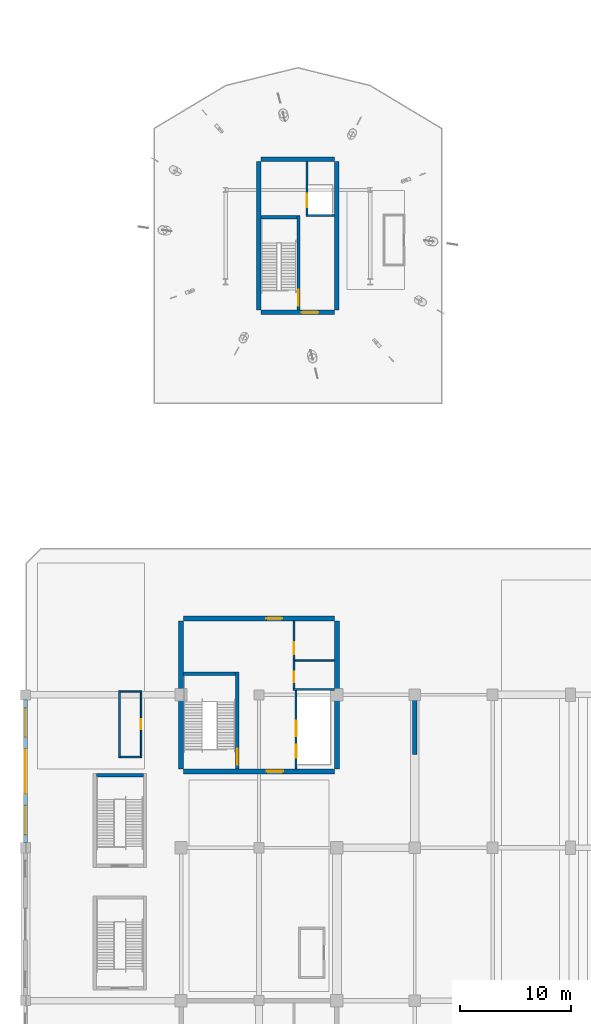
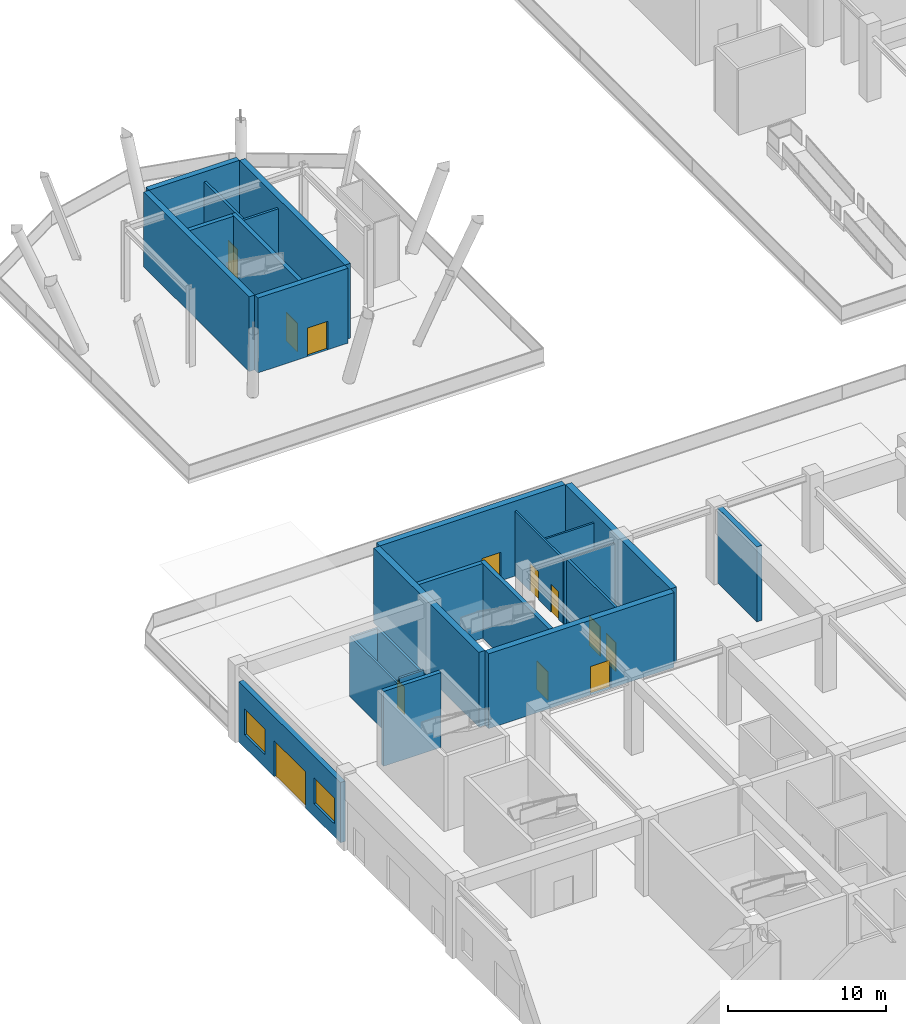
# One storey, part 47 of 73: 25 walls, 12 doors, 2 windows, 14 openings.
"""IFC4 building model written with IfcOpenShell, lengths in metres."""

from ifc_helpers import new_model, si_unit, direction, frame, frame_2d, origin, place, context, subcontext, project, spatial, rectangle, extrude, material, layer, layer_set, type_object, element, fill, save


model = new_model("IFC4")

# Units and contexts
model_context = context("Model", 3, precision=1e-05, world=origin(), true_north=direction((0.0, 1.0)))
body_context = subcontext(model_context, "Body", "Model", "MODEL_VIEW")
ifc_project = project(units=[si_unit("LENGTHUNIT", "METRE"), si_unit("AREAUNIT", "SQUARE_METRE"), si_unit("VOLUMEUNIT", "CUBIC_METRE"), si_unit("PLANEANGLEUNIT", "RADIAN"), si_unit("MASSUNIT", "GRAM", prefix="KILO")], contexts=[model_context])

# Site, building, storey
site_placement = place(None, origin())
site = spatial("IfcSite", under=ifc_project, at=site_placement, CompositionType="ELEMENT")
building_placement = place(site_placement, origin())
building = spatial("IfcBuilding", under=site, at=building_placement, Name="Linyun Crest Stadium", CompositionType="ELEMENT")
storey_placement = place(building_placement, origin())
storey = spatial("IfcBuildingStorey", under=building, at=storey_placement, Name="L01", CompositionType="ELEMENT", Elevation=0.0)

# Walls
ifc_material_1 = material(Name="Concrete C50", Category="concrete")
ifc_layer_1 = layer(ifc_material_1, 0.39990234375)
ifc_layer_set_1 = layer_set([ifc_layer_1], Name="Concrete C50")
wall_type_1 = type_object("IfcWallType", Name="CW02", PredefinedType="SHEAR", material=ifc_layer_set_1)
for number, where, z_axis, x_axis, name in (
    (1, (-77.0, 77.949951171875, 0.0), (0.0, 0.0, 1.0), (0.0, 1.0, 0.0), "Core shear wall CW02 CORE-PNW L01.1"),
    (2, (-70.0, 77.949951171875, 0.0), (0.0, 0.0, 1.0), (0.0, 1.0, 0.0), "Core shear wall CW02 CORE-PNW L01.2"),
):
    element("IfcWall", number, at=place(storey_placement, frame(where, z_axis=z_axis, x_axis=x_axis)), inside=storey, type_object=wall_type_1, Name=name, PredefinedType="SHEAR", context=body_context, shape_type="SweptSolid", body=[
        extrude(rectangle(XDim=13.35009765625, YDim=0.39990234375, at=frame_2d((6.675048828125, 0.0))), origin(), (0.0, 0.0, 1.0), 5.780029296875),
    ])

# Wall, opening, door
wall_1_placement = place(storey_placement, frame((-76.800048828125, 77.75, 0.0), z_axis=(0.0, 0.0, 1.0), x_axis=(1.0, 0.0, 0.0)))
wall_1 = element("IfcWall", 3, at=wall_1_placement, inside=storey, type_object=wall_type_1, Name="Core shear wall CW02 CORE-PNW L01.3", PredefinedType="SHEAR", context=body_context, shape_type="SweptSolid", body=[
    extrude(rectangle(XDim=6.60009765625, YDim=0.39990234375, at=frame_2d((3.300048828125, 0.0))), origin(), (0.0, 0.0, 1.0), 5.780029296875),
])
opening_1_placement = place(wall_1_placement, frame((3.6298828125, 0.0, 0.0)))
opening_1 = element("IfcOpeningElement", 4, at=opening_1_placement, cuts=wall_1, Name="Opening D-L01-369", PredefinedType="OPENING", context=body_context, shape_type="SweptSolid", body=[
    extrude(rectangle(XDim=1.5, YDim=2.199951171875, at=frame_2d((0.75, 1.10009765625))), frame((0.0, 0.2099609375, 0.0), z_axis=(0.0, -1.0, 0.0), x_axis=(1.0, 0.0, 0.0)), (0.0, 0.0, 1.0), 0.419921875),
])
ifc_material_2 = material(Name="Galvanized steel Class A fire door", Category="steel")
ifc_layer_2 = layer(ifc_material_2, 0.054931640625)
ifc_layer_set_2 = layer_set([ifc_layer_2], Name="Galvanized steel Class A fire door")
door_type_1 = type_object("IfcDoorType", Name="FD01", OperationType="NOTDEFINED", PredefinedType="DOOR", material=ifc_layer_set_2)
door_1_placement = place(opening_1_placement, origin())
door_1 = element("IfcDoor", 5, at=door_1_placement, inside=storey, type_object=door_type_1, Name="Door D-L01-369", OperationType="SINGLE_SWING_LEFT", OverallHeight=2.199951171875, OverallWidth=1.5, PredefinedType="DOOR", context=body_context, shape_type="SweptSolid", body=[
    extrude(rectangle(XDim=1.5, YDim=2.199951171875, at=frame_2d((0.75, 1.10009765625))), frame((0.0, 0.02490234375, 0.0), z_axis=(0.0, -1.0, 0.0), x_axis=(1.0, 0.0, 0.0)), (0.0, 0.0, 1.0), 0.050048828125),
])
fill(opening_1, door_1)

# Walls
wall_2_placement = place(storey_placement, frame((-76.800048828125, 91.5, 0.0), z_axis=(0.0, 0.0, 1.0), x_axis=(1.0, 0.0, 0.0)))
element("IfcWall", 6, at=wall_2_placement, inside=storey, type_object=wall_type_1, Name="Core shear wall CW02 CORE-PNW L01.4", PredefinedType="SHEAR", context=body_context, shape_type="SweptSolid", body=[
    extrude(rectangle(XDim=6.60009765625, YDim=0.39990234375, at=frame_2d((3.300048828125, 0.0))), origin(), (0.0, 0.0, 1.0), 5.780029296875),
])
ifc_material_3 = material(Name="Concrete C50", Category="concrete")
ifc_layer_3 = layer(ifc_material_3, 0.449951171875)
ifc_layer_set_3 = layer_set([ifc_layer_3], Name="Concrete C50")
wall_type_2 = type_object("IfcWallType", Name="CW03", PredefinedType="SHEAR", material=ifc_layer_set_3)
for number, where, z_axis, x_axis, name in (
    (7, (-84.0, 36.72509765625, 0.0), (0.0, 0.0, 1.0), (0.0, 1.0, 0.0), "Core shear wall CW03 CORE-W3 L01.1"),
    (8, (-70.0, 36.72509765625, 0.0), (0.0, 0.0, 1.0), (0.0, 1.0, 0.0), "Core shear wall CW03 CORE-W3 L01.2"),
):
    element("IfcWall", number, at=place(storey_placement, frame(where, z_axis=z_axis, x_axis=x_axis)), inside=storey, type_object=wall_type_2, Name=name, PredefinedType="SHEAR", context=body_context, shape_type="SweptSolid", body=[
        extrude(rectangle(XDim=13.2998046875, YDim=0.449951171875, at=frame_2d((6.64990234375, 0.0))), origin(), (0.0, 0.0, 1.0), 5.780029296875),
    ])

# Wall, opening, door
wall_3_placement = place(storey_placement, frame((-83.77490234375, 36.5, 0.0), z_axis=(0.0, 0.0, 1.0), x_axis=(1.0, 0.0, 0.0)))
wall_3 = element("IfcWall", 9, at=wall_3_placement, inside=storey, type_object=wall_type_2, Name="Core shear wall CW03 CORE-W3 L01.3", PredefinedType="SHEAR", context=body_context, shape_type="SweptSolid", body=[
    extrude(rectangle(XDim=13.5498046875, YDim=0.449951171875, at=frame_2d((6.77490234375, 0.0))), origin(), (0.0, 0.0, 1.0), 5.780029296875),
])
opening_2_placement = place(wall_3_placement, frame((7.452880859375, 0.0, 0.0)))
opening_2 = element("IfcOpeningElement", 10, at=opening_2_placement, cuts=wall_3, Name="Opening D-L01-112", PredefinedType="OPENING", context=body_context, shape_type="SweptSolid", body=[
    extrude(rectangle(XDim=1.5, YDim=2.199951171875, at=frame_2d((0.75, 1.10009765625))), frame((0.0, 0.23486328125, 0.0), z_axis=(0.0, -1.0, 0.0), x_axis=(1.0, 0.0, 0.0)), (0.0, 0.0, 1.0), 0.469970703125),
])
door_2_placement = place(opening_2_placement, origin())
door_2 = element("IfcDoor", 11, at=door_2_placement, inside=storey, type_object=door_type_1, Name="Door D-L01-112", OperationType="SINGLE_SWING_RIGHT", OverallHeight=2.199951171875, OverallWidth=1.5, PredefinedType="DOOR", context=body_context, shape_type="SweptSolid", body=[
    extrude(rectangle(XDim=1.5, YDim=2.199951171875, at=frame_2d((0.75, 1.10009765625))), frame((0.0, 0.02490234375, 0.0), z_axis=(0.0, -1.0, 0.0), x_axis=(1.0, 0.0, 0.0)), (0.0, 0.0, 1.0), 0.050048828125),
])
fill(opening_2, door_2)

wall_4_placement = place(storey_placement, frame((-83.77490234375, 50.25, 0.0), z_axis=(0.0, 0.0, 1.0), x_axis=(1.0, 0.0, 0.0)))
wall_4 = element("IfcWall", 12, at=wall_4_placement, inside=storey, type_object=wall_type_2, Name="Core shear wall CW03 CORE-W3 L01.4", PredefinedType="SHEAR", context=body_context, shape_type="SweptSolid", body=[
    extrude(rectangle(XDim=13.5498046875, YDim=0.449951171875, at=frame_2d((6.77490234375, 0.0))), origin(), (0.0, 0.0, 1.0), 5.780029296875),
])
opening_3_placement = place(wall_4_placement, frame((7.449951171875, 0.0, 0.0)))
opening_3 = element("IfcOpeningElement", 13, at=opening_3_placement, cuts=wall_4, Name="Opening E-ST03", PredefinedType="OPENING", context=body_context, shape_type="SweptSolid", body=[
    extrude(rectangle(XDim=1.39990234375, YDim=2.199951171875, at=frame_2d((0.699951171875, 1.10009765625))), frame((0.0, 0.23486328125, 0.0), z_axis=(0.0, -1.0, 0.0), x_axis=(1.0, 0.0, 0.0)), (0.0, 0.0, 1.0), 0.469970703125),
])
ifc_material_4 = material(Name="Galvanized steel Class A fire door", Category="steel")
ifc_layer_4 = layer(ifc_material_4, 0.054931640625)
ifc_layer_set_4 = layer_set([ifc_layer_4], Name="Galvanized steel Class A fire door")
door_type_2 = type_object("IfcDoorType", Name="FD10", OperationType="NOTDEFINED", PredefinedType="DOOR", material=ifc_layer_set_4)
door_3_placement = place(opening_3_placement, origin())
door_3 = element("IfcDoor", 14, at=door_3_placement, inside=storey, type_object=door_type_2, Name="Stair STR-03 discharge exit E-ST03", OperationType="SINGLE_SWING_RIGHT", OverallHeight=2.199951171875, OverallWidth=1.39990234375, PredefinedType="DOOR", context=body_context, shape_type="SweptSolid", body=[
    extrude(rectangle(XDim=1.39990234375, YDim=2.199951171875, at=frame_2d((0.699951171875, 1.10009765625))), frame((0.0, 0.02490234375, 0.0), z_axis=(0.0, -1.0, 0.0), x_axis=(1.0, 0.0, 0.0)), (0.0, 0.0, 1.0), 0.050048828125),
])
fill(opening_3, door_3)

# Wall, openings, door, windows
ifc_material_5 = material(Name="Precast concrete C40 architectural plinth panel", Category="concrete")
ifc_layer_5 = layer(ifc_material_5, 0.360107421875)
ifc_layer_set_5 = layer_set([ifc_layer_5], Name="Precast concrete C40 architectural plinth panel")
wall_type_3 = type_object("IfcWallType", Name="EW06", PredefinedType="SOLIDWALL", material=ifc_layer_set_5)
wall_5_placement = place(storey_placement, frame((-98.0, 30.06494140625, 0.0), z_axis=(0.0, 0.0, 1.0), x_axis=(0.0, 1.0, 0.0)))
wall_5 = element("IfcWall", 15, at=wall_5_placement, inside=storey, type_object=wall_type_3, Name="Exterior wall EW06 L01 22", PredefinedType="SOLIDWALL", context=body_context, shape_type="SweptSolid", body=[
    extrude(rectangle(XDim=12.8701171875, YDim=0.360107421875, at=frame_2d((6.43505859375, 0.0))), origin(), (0.0, 0.0, 1.0), 4.655029296875),
])
opening_4_placement = place(wall_5_placement, frame((4.43505859375, 0.0, 0.0)))
opening_4 = element("IfcOpeningElement", 16, at=opening_4_placement, cuts=wall_5, Name="Opening E07", PredefinedType="OPENING", context=body_context, shape_type="SweptSolid", body=[
    extrude(rectangle(XDim=4.0, YDim=2.800048828125, at=frame_2d((2.0, 1.39990234375))), frame((0.0, 0.18994140625, 0.0), z_axis=(0.0, -1.0, 0.0), x_axis=(1.0, 0.0, 0.0)), (0.0, 0.0, 1.0), 0.380126953125),
])
opening_5_placement = place(wall_5_placement, frame((0.75, 0.0, 1.0)))
opening_5 = element("IfcOpeningElement", 17, at=opening_5_placement, cuts=wall_5, Name="Opening WN17", PredefinedType="OPENING", context=body_context, shape_type="SweptSolid", body=[
    extrude(rectangle(XDim=2.60009765625, YDim=2.0, at=frame_2d((1.300048828125, 1.0))), frame((0.0, 0.18994140625, 0.0), z_axis=(0.0, -1.0, 0.0), x_axis=(1.0, 0.0, 0.0)), (0.0, 0.0, 1.0), 0.380126953125),
])
opening_6_placement = place(wall_5_placement, frame((9.52001953125, 0.0, 1.0)))
opening_6 = element("IfcOpeningElement", 18, at=opening_6_placement, cuts=wall_5, Name="Opening WN17", PredefinedType="OPENING", context=body_context, shape_type="SweptSolid", body=[
    extrude(rectangle(XDim=2.60009765625, YDim=2.0, at=frame_2d((1.300048828125, 1.0))), frame((0.0, 0.18994140625, 0.0), z_axis=(0.0, -1.0, 0.0), x_axis=(1.0, 0.0, 0.0)), (0.0, 0.0, 1.0), 0.380126953125),
])
ifc_material_6 = material(Name="Verdigris painted steel and laminated glass", Category="steel")
ifc_layer_6 = layer(ifc_material_6, 0.06494140625)
ifc_layer_set_6 = layer_set([ifc_layer_6], Name="Verdigris painted steel and laminated glass")
door_type_3 = type_object("IfcDoorType", Name="ED03", OperationType="NOTDEFINED", PredefinedType="DOOR", material=ifc_layer_set_6)
door_4_placement = place(opening_4_placement, origin())
door_4 = element("IfcDoor", 19, at=door_4_placement, inside=storey, type_object=door_type_3, Name="Main entrance E07", OperationType="DOUBLE_DOOR_SINGLE_SWING", OverallHeight=2.800048828125, OverallWidth=4.0, PredefinedType="DOOR", context=body_context, shape_type="SweptSolid", body=[
    extrude(rectangle(XDim=4.0, YDim=2.800048828125, at=frame_2d((2.0, 1.39990234375))), frame((0.0, 0.02490234375, 0.0), z_axis=(0.0, -1.0, 0.0), x_axis=(1.0, 0.0, 0.0)), (0.0, 0.0, 1.0), 0.050048828125),
])
fill(opening_4, door_4)
ifc_material_7 = material(Name="Fitness studio tall daylight window")
ifc_layer_7 = layer(ifc_material_7, 0.06494140625)
ifc_layer_set_7 = layer_set([ifc_layer_7], Name="Fitness studio tall daylight window")
window_type = type_object("IfcWindowType", Name="WN17", PartitioningType="SINGLE_PANEL", PredefinedType="WINDOW", material=ifc_layer_set_7)
window_1_placement = place(opening_5_placement, origin())
window_1 = element("IfcWindow", 20, at=window_1_placement, inside=storey, type_object=window_type, Name="Window WN17 L01 24", OverallHeight=2.0, OverallWidth=2.60009765625, PartitioningType="SINGLE_PANEL", PredefinedType="WINDOW", context=body_context, shape_type="SweptSolid", body=[
    extrude(rectangle(XDim=2.60009765625, YDim=2.0, at=frame_2d((1.300048828125, 1.0))), frame((0.0, 0.030029296875, 0.0), z_axis=(0.0, -1.0, 0.0), x_axis=(1.0, 0.0, 0.0)), (0.0, 0.0, 1.0), 0.06005859375),
])
fill(opening_5, window_1)
window_2_placement = place(opening_6_placement, origin())
window_2 = element("IfcWindow", 21, at=window_2_placement, inside=storey, type_object=window_type, Name="Window WN17 L01 25", OverallHeight=2.0, OverallWidth=2.60009765625, PartitioningType="SINGLE_PANEL", PredefinedType="WINDOW", context=body_context, shape_type="SweptSolid", body=[
    extrude(rectangle(XDim=2.60009765625, YDim=2.0, at=frame_2d((1.300048828125, 1.0))), frame((0.0, 0.030029296875, 0.0), z_axis=(0.0, -1.0, 0.0), x_axis=(1.0, 0.0, 0.0)), (0.0, 0.0, 1.0), 0.06005859375),
])
fill(opening_6, window_2)

# Wall, openings, doors
ifc_material_8 = material(Name="Autoclaved aerated concrete block fire partition", Category="concrete")
ifc_layer_8 = layer(ifc_material_8, 0.179931640625)
ifc_layer_set_8 = layer_set([ifc_layer_8], Name="Autoclaved aerated concrete block fire partition")
wall_type_4 = type_object("IfcWallType", Name="PW12", PredefinedType="PARTITIONING", material=ifc_layer_set_8)
wall_6_placement = place(storey_placement, frame((-73.64990234375, 36.72509765625, 0.0), z_axis=(0.0, 0.0, 1.0), x_axis=(0.0, 1.0, 0.0)))
wall_6 = element("IfcWall", 22, at=wall_6_placement, inside=storey, type_object=wall_type_4, Name="Partition PW12 L01 45", PredefinedType="PARTITIONING", context=body_context, shape_type="SweptSolid", body=[
    extrude(rectangle(XDim=7.054931640625, YDim=0.179931640625, at=frame_2d((3.52734375, 0.0))), origin(), (0.0, 0.0, 1.0), 5.02001953125),
])
opening_7_placement = place(wall_6_placement, frame((0.97509765625, 0.0, 0.0)))
opening_7 = element("IfcOpeningElement", 23, at=opening_7_placement, cuts=wall_6, Name="Opening LD038", PredefinedType="OPENING", context=body_context, shape_type="SweptSolid", body=[
    extrude(rectangle(XDim=1.199951171875, YDim=2.25, at=frame_2d((0.60009765625, 1.125))), frame((0.0, 0.099853515625, 0.0), z_axis=(0.0, -1.0, 0.0), x_axis=(1.0, 0.0, 0.0)), (0.0, 0.0, 1.0), 0.199951171875),
])
opening_8_placement = place(wall_6_placement, frame((2.925048828125, 0.0, 0.0)))
opening_8 = element("IfcOpeningElement", 24, at=opening_8_placement, cuts=wall_6, Name="Opening LD039", PredefinedType="OPENING", context=body_context, shape_type="SweptSolid", body=[
    extrude(rectangle(XDim=1.39990234375, YDim=2.300048828125, at=frame_2d((0.699951171875, 1.14990234375))), frame((0.0, 0.099853515625, 0.0), z_axis=(0.0, -1.0, 0.0), x_axis=(1.0, 0.0, 0.0)), (0.0, 0.0, 1.0), 0.199951171875),
])
ifc_material_9 = material(Name="Brushed stainless sliding lift door")
ifc_layer_9 = layer(ifc_material_9, 0.050048828125)
ifc_layer_set_9 = layer_set([ifc_layer_9], Name="Brushed stainless sliding lift door")
door_type_4 = type_object("IfcDoorType", Name="LD02", OperationType="NOTDEFINED", PredefinedType="DOOR", material=ifc_layer_set_9)
door_5_placement = place(opening_7_placement, origin())
door_5 = element("IfcDoor", 25, at=door_5_placement, inside=storey, type_object=door_type_4, Name="Lift landing door LD038", OperationType="DOUBLE_DOOR_SLIDING", OverallHeight=2.25, OverallWidth=1.199951171875, PredefinedType="DOOR", context=body_context, shape_type="SweptSolid", body=[
    extrude(rectangle(XDim=1.199951171875, YDim=2.25, at=frame_2d((0.60009765625, 1.125))), frame((0.0, 0.02490234375, 0.0), z_axis=(0.0, -1.0, 0.0), x_axis=(1.0, 0.0, 0.0)), (0.0, 0.0, 1.0), 0.050048828125),
])
fill(opening_7, door_5)
ifc_material_10 = material(Name="Heavy-duty stainless sliding door")
ifc_layer_10 = layer(ifc_material_10, 0.054931640625)
ifc_layer_set_10 = layer_set([ifc_layer_10], Name="Heavy-duty stainless sliding door")
door_type_5 = type_object("IfcDoorType", Name="LD03", OperationType="NOTDEFINED", PredefinedType="DOOR", material=ifc_layer_set_10)
door_6_placement = place(opening_8_placement, origin())
door_6 = element("IfcDoor", 26, at=door_6_placement, inside=storey, type_object=door_type_5, Name="Lift landing door LD039", OperationType="DOUBLE_DOOR_SLIDING", OverallHeight=2.300048828125, OverallWidth=1.39990234375, PredefinedType="DOOR", context=body_context, shape_type="SweptSolid", body=[
    extrude(rectangle(XDim=1.39990234375, YDim=2.300048828125, at=frame_2d((0.699951171875, 1.14990234375))), frame((0.0, 0.02490234375, 0.0), z_axis=(0.0, -1.0, 0.0), x_axis=(1.0, 0.0, 0.0)), (0.0, 0.0, 1.0), 0.050048828125),
])
fill(opening_8, door_6)

# Wall, opening, door
wall_7_placement = place(storey_placement, frame((-72.699951171875, 86.550048828125, 0.0), z_axis=(0.0, 0.0, 1.0), x_axis=(0.0, 1.0, 0.0)))
wall_7 = element("IfcWall", 27, at=wall_7_placement, inside=storey, type_object=wall_type_4, Name="Partition PW12 L01 132", PredefinedType="PARTITIONING", context=body_context, shape_type="SweptSolid", body=[
    extrude(rectangle(XDim=4.75, YDim=0.179931640625, at=frame_2d((2.375, 0.0))), origin(), (0.0, 0.0, 1.0), 5.02001953125),
])
opening_9_placement = place(wall_7_placement, frame((0.64990234375, 0.0, 0.0)))
opening_9 = element("IfcOpeningElement", 28, at=opening_9_placement, cuts=wall_7, Name="Opening LD108", PredefinedType="OPENING", context=body_context, shape_type="SweptSolid", body=[
    extrude(rectangle(XDim=1.199951171875, YDim=2.25, at=frame_2d((0.60009765625, 1.125))), frame((0.0, 0.099853515625, 0.0), z_axis=(0.0, -1.0, 0.0), x_axis=(1.0, 0.0, 0.0)), (0.0, 0.0, 1.0), 0.199951171875),
])
door_7_placement = place(opening_9_placement, origin())
door_7 = element("IfcDoor", 29, at=door_7_placement, inside=storey, type_object=door_type_4, Name="Lift landing door LD108", OperationType="DOUBLE_DOOR_SLIDING", OverallHeight=2.25, OverallWidth=1.199951171875, PredefinedType="DOOR", context=body_context, shape_type="SweptSolid", body=[
    extrude(rectangle(XDim=1.199951171875, YDim=2.25, at=frame_2d((0.60009765625, 1.125))), frame((0.0, 0.02490234375, 0.0), z_axis=(0.0, -1.0, 0.0), x_axis=(1.0, 0.0, 0.0)), (0.0, 0.0, 1.0), 0.050048828125),
])
fill(opening_9, door_7)

# Wall
wall_8_placement = place(storey_placement, frame((-72.7900390625, 86.4599609375, 0.0), z_axis=(0.0, 0.0, 1.0), x_axis=(1.0, 0.0, 0.0)))
element("IfcWall", 30, at=wall_8_placement, inside=storey, type_object=wall_type_4, Name="Enclosure partition PW12 L01 124", PredefinedType="PARTITIONING", context=body_context, shape_type="SweptSolid", body=[
    extrude(rectangle(XDim=2.590087890625, YDim=0.179931640625, at=frame_2d((1.294921875, 0.0))), origin(), (0.0, 0.0, 1.0), 5.02001953125),
])

# Wall, openings, doors
ifc_material_11 = material(Name="Moisture-resistant ceramic-tiled wet-room wall")
ifc_layer_11 = layer(ifc_material_11, 0.139892578125)
ifc_layer_set_11 = layer_set([ifc_layer_11], Name="Moisture-resistant ceramic-tiled wet-room wall")
wall_type_5 = type_object("IfcWallType", Name="PW15", PredefinedType="PARTITIONING", material=ifc_layer_set_11)
wall_9_placement = place(storey_placement, frame((-73.85009765625, 43.919921875, 0.0), z_axis=(0.0, 0.0, 1.0), x_axis=(0.0, 1.0, 0.0)))
wall_9 = element("IfcWall", 31, at=wall_9_placement, inside=storey, type_object=wall_type_5, Name="Partition PW15 L01 46", PredefinedType="PARTITIONING", context=body_context, shape_type="SweptSolid", body=[
    extrude(rectangle(XDim=6.10498046875, YDim=0.139892578125, at=frame_2d((3.052490234375, 0.0))), origin(), (0.0, 0.0, 1.0), 5.02001953125),
])
opening_10_placement = place(wall_9_placement, frame((0.580078125, 0.0, 0.0)))
opening_10 = element("IfcOpeningElement", 32, at=opening_10_placement, cuts=wall_9, Name="Opening D-L01-116", PredefinedType="OPENING", context=body_context, shape_type="SweptSolid", body=[
    extrude(rectangle(XDim=0.949951171875, YDim=2.14990234375, at=frame_2d((0.47509765625, 1.074951171875))), frame((0.0, 0.079833984375, 0.0), z_axis=(0.0, -1.0, 0.0), x_axis=(1.0, 0.0, 0.0)), (0.0, 0.0, 1.0), 0.159912109375),
])
opening_11_placement = place(wall_9_placement, frame((3.080078125, 0.0, 0.0)))
opening_11 = element("IfcOpeningElement", 33, at=opening_11_placement, cuts=wall_9, Name="Opening D-L01-117", PredefinedType="OPENING", context=body_context, shape_type="SweptSolid", body=[
    extrude(rectangle(XDim=1.10009765625, YDim=2.14990234375, at=frame_2d((0.550048828125, 1.074951171875))), frame((0.0, 0.079833984375, 0.0), z_axis=(0.0, -1.0, 0.0), x_axis=(1.0, 0.0, 0.0)), (0.0, 0.0, 1.0), 0.159912109375),
])
ifc_material_12 = material(Name="Moisture-resistant laminate leaf")
ifc_layer_12 = layer(ifc_material_12, 0.044921875)
ifc_layer_set_12 = layer_set([ifc_layer_12], Name="Moisture-resistant laminate leaf")
door_type_6 = type_object("IfcDoorType", Name="ID02", OperationType="NOTDEFINED", PredefinedType="DOOR", material=ifc_layer_set_12)
door_8_placement = place(opening_10_placement, origin())
door_8 = element("IfcDoor", 34, at=door_8_placement, inside=storey, type_object=door_type_6, Name="Door D-L01-116", OperationType="SINGLE_SWING_RIGHT", OverallHeight=2.14990234375, OverallWidth=0.949951171875, PredefinedType="DOOR", context=body_context, shape_type="SweptSolid", body=[
    extrude(rectangle(XDim=0.949951171875, YDim=2.14990234375, at=frame_2d((0.47509765625, 1.074951171875))), frame((0.0, 0.02490234375, 0.0), z_axis=(0.0, -1.0, 0.0), x_axis=(1.0, 0.0, 0.0)), (0.0, 0.0, 1.0), 0.050048828125),
])
fill(opening_10, door_8)
ifc_material_13 = material(Name="Moisture-resistant laminate leaf")
ifc_layer_13 = layer(ifc_material_13, 0.044921875)
ifc_layer_set_13 = layer_set([ifc_layer_13], Name="Moisture-resistant laminate leaf")
door_type_7 = type_object("IfcDoorType", Name="ID03", OperationType="NOTDEFINED", PredefinedType="DOOR", material=ifc_layer_set_13)
door_9_placement = place(opening_11_placement, origin())
door_9 = element("IfcDoor", 35, at=door_9_placement, inside=storey, type_object=door_type_7, Name="Door D-L01-117", OperationType="SINGLE_SWING_LEFT", OverallHeight=2.14990234375, OverallWidth=1.10009765625, PredefinedType="DOOR", context=body_context, shape_type="SweptSolid", body=[
    extrude(rectangle(XDim=1.10009765625, YDim=2.14990234375, at=frame_2d((0.550048828125, 1.074951171875))), frame((0.0, 0.02490234375, 0.0), z_axis=(0.0, -1.0, 0.0), x_axis=(1.0, 0.0, 0.0)), (0.0, 0.0, 1.0), 0.050048828125),
])
fill(opening_11, door_9)

# Walls
wall_10_placement = place(storey_placement, frame((-73.919921875, 43.85009765625, 0.0), z_axis=(0.0, 0.0, 1.0), x_axis=(1.0, 0.0, 0.0)))
element("IfcWall", 36, at=wall_10_placement, inside=storey, type_object=wall_type_5, Name="Enclosure partition PW15 L01 31", PredefinedType="PARTITIONING", context=body_context, shape_type="SweptSolid", body=[
    extrude(rectangle(XDim=3.69482421875, YDim=0.139892578125, at=frame_2d((1.847412109375, 0.0))), origin(), (0.0, 0.0, 1.0), 5.02001953125),
])
wall_11_placement = place(storey_placement, frame((-73.780029296875, 46.449951171875, 0.0), z_axis=(0.0, 0.0, 1.0), x_axis=(1.0, 0.0, 0.0)))
element("IfcWall", 37, at=wall_11_placement, inside=storey, type_object=wall_type_5, Name="Enclosure partition PW15 L01 32", PredefinedType="PARTITIONING", context=body_context, shape_type="SweptSolid", body=[
    extrude(rectangle(XDim=3.554931640625, YDim=0.139892578125, at=frame_2d((1.77734375, 0.0))), origin(), (0.0, 0.0, 1.0), 5.02001953125),
])

# Wall, opening, door
ifc_material_14 = material(Name="Medical and doping-control hygienic partition")
ifc_layer_14 = layer(ifc_material_14, 0.155029296875)
ifc_layer_set_14 = layer_set([ifc_layer_14], Name="Medical and doping-control hygienic partition")
wall_type_6 = type_object("IfcWallType", Name="PW23", PredefinedType="PARTITIONING", material=ifc_layer_set_14)
wall_12_placement = place(storey_placement, frame((-87.592041015625, 43.759033203125, 0.0), z_axis=(0.0, 0.0, 1.0), x_axis=(0.0, -1.0, 0.0)))
wall_12 = element("IfcWall", 38, at=wall_12_placement, inside=storey, type_object=wall_type_6, Name="Partition PW23 L01 160", PredefinedType="PARTITIONING", context=body_context, shape_type="SweptSolid", body=[
    extrude(rectangle(XDim=6.050048828125, YDim=0.155029296875, at=frame_2d((3.02490234375, 0.0))), origin(), (0.0, 0.0, 1.0), 4.655029296875),
])
opening_12_placement = place(wall_12_placement, frame((2.574951171875, 0.0, 0.0)))
opening_12 = element("IfcOpeningElement", 39, at=opening_12_placement, cuts=wall_12, Name="Opening D-L01-423", PredefinedType="OPENING", context=body_context, shape_type="SweptSolid", body=[
    extrude(rectangle(XDim=0.89990234375, YDim=2.14990234375, at=frame_2d((0.449951171875, 1.074951171875))), frame((0.0, 0.08740234375, 0.0), z_axis=(0.0, -1.0, 0.0), x_axis=(1.0, 0.0, 0.0)), (0.0, 0.0, 1.0), 0.175048828125),
])
ifc_material_15 = material(Name="Acoustic glazed booth door")
ifc_layer_15 = layer(ifc_material_15, 0.050048828125)
ifc_layer_set_15 = layer_set([ifc_layer_15], Name="Acoustic glazed booth door")
door_type_8 = type_object("IfcDoorType", Name="ID11", OperationType="NOTDEFINED", PredefinedType="DOOR", material=ifc_layer_set_15)
door_10_placement = place(opening_12_placement, origin())
door_10 = element("IfcDoor", 40, at=door_10_placement, inside=storey, type_object=door_type_8, Name="Door D-L01-423", OperationType="SINGLE_SWING_LEFT", OverallHeight=2.14990234375, OverallWidth=0.89990234375, PredefinedType="DOOR", context=body_context, shape_type="SweptSolid", body=[
    extrude(rectangle(XDim=0.89990234375, YDim=2.14990234375, at=frame_2d((0.449951171875, 1.074951171875))), frame((0.0, 0.02490234375, 0.0), z_axis=(0.0, -1.0, 0.0), x_axis=(1.0, 0.0, 0.0)), (0.0, 0.0, 1.0), 0.050048828125),
])
fill(opening_12, door_10)

# Walls
wall_13_placement = place(storey_placement, frame((-89.531982421875, 37.708984375, 0.0), z_axis=(0.0, 0.0, 1.0), x_axis=(0.0, 1.0, 0.0)))
element("IfcWall", 41, at=wall_13_placement, inside=storey, type_object=wall_type_6, Name="Enclosure partition PW23 L01 196", PredefinedType="PARTITIONING", context=body_context, shape_type="SweptSolid", body=[
    extrude(rectangle(XDim=6.050048828125, YDim=0.155029296875, at=frame_2d((3.02490234375, 0.0))), origin(), (0.0, 0.0, 1.0), 4.655029296875),
])
wall_14_placement = place(storey_placement, frame((-89.4541015625, 37.787109375, 0.0), z_axis=(0.0, 0.0, 1.0), x_axis=(1.0, 0.0, 0.0)))
element("IfcWall", 42, at=wall_14_placement, inside=storey, type_object=wall_type_6, Name="Enclosure partition PW23 L01 197", PredefinedType="PARTITIONING", context=body_context, shape_type="SweptSolid", body=[
    extrude(rectangle(XDim=1.7841796875, YDim=0.155029296875, at=frame_2d((0.89208984375, 0.0))), origin(), (0.0, 0.0, 1.0), 5.02001953125),
])
wall_15_placement = place(storey_placement, frame((-89.4541015625, 43.680908203125, 0.0), z_axis=(0.0, 0.0, 1.0), x_axis=(1.0, 0.0, 0.0)))
element("IfcWall", 43, at=wall_15_placement, inside=storey, type_object=wall_type_6, Name="Enclosure partition PW23 L01 198", PredefinedType="PARTITIONING", context=body_context, shape_type="SweptSolid", body=[
    extrude(rectangle(XDim=1.7841796875, YDim=0.155029296875, at=frame_2d((0.89208984375, 0.0))), origin(), (0.0, 0.0, 1.0), 4.655029296875),
])

# Wall, opening, door
ifc_material_16 = material(Name="Concrete C50", Category="concrete")
ifc_layer_16 = layer(ifc_material_16, 0.300048828125)
ifc_layer_set_16 = layer_set([ifc_layer_16], Name="Concrete C50")
wall_type_7 = type_object("IfcWallType", Name="SW01", PredefinedType="SHEAR", material=ifc_layer_set_16)
wall_16_placement = place(storey_placement, frame((-78.949951171875, 36.72509765625, 0.0), z_axis=(0.0, 0.0, 1.0), x_axis=(0.0, 1.0, 0.0)))
wall_16 = element("IfcWall", 44, at=wall_16_placement, inside=storey, type_object=wall_type_7, Name="Core stair east bearing wall SW01 3 L01", PredefinedType="SHEAR", context=body_context, shape_type="SweptSolid", body=[
    extrude(rectangle(XDim=8.6748046875, YDim=0.300048828125, at=frame_2d((4.33740234375, 0.0))), origin(), (0.0, 0.0, 1.0), 5.780029296875),
])
opening_13_placement = place(wall_16_placement, frame((0.344970703125, 0.0, 0.0)))
opening_13 = element("IfcOpeningElement", 45, at=opening_13_placement, cuts=wall_16, Name="Opening D-L01-113", PredefinedType="OPENING", context=body_context, shape_type="SweptSolid", body=[
    extrude(rectangle(XDim=1.449951171875, YDim=2.199951171875, at=frame_2d((0.72509765625, 1.10009765625))), frame((0.0, 0.159912109375, 0.0), z_axis=(0.0, -1.0, 0.0), x_axis=(1.0, 0.0, 0.0)), (0.0, 0.0, 1.0), 0.320068359375),
])
ifc_material_17 = material(Name="Galvanized steel Class A fire door", Category="steel")
ifc_layer_17 = layer(ifc_material_17, 0.054931640625)
ifc_layer_set_17 = layer_set([ifc_layer_17], Name="Galvanized steel Class A fire door")
door_type_9 = type_object("IfcDoorType", Name="FD02", OperationType="NOTDEFINED", PredefinedType="DOOR", material=ifc_layer_set_17)
door_11_placement = place(opening_13_placement, origin())
door_11 = element("IfcDoor", 46, at=door_11_placement, inside=storey, type_object=door_type_9, Name="Door D-L01-113", OperationType="SINGLE_SWING_LEFT", OverallHeight=2.199951171875, OverallWidth=1.449951171875, PredefinedType="DOOR", context=body_context, shape_type="SweptSolid", body=[
    extrude(rectangle(XDim=1.449951171875, YDim=2.199951171875, at=frame_2d((0.72509765625, 1.10009765625))), frame((0.0, 0.02490234375, 0.0), z_axis=(0.0, -1.0, 0.0), x_axis=(1.0, 0.0, 0.0)), (0.0, 0.0, 1.0), 0.050048828125),
])
fill(opening_13, door_11)

wall_17_placement = place(storey_placement, frame((-73.449951171875, 77.949951171875, 0.0), z_axis=(0.0, 0.0, 1.0), x_axis=(0.0, 1.0, 0.0)))
wall_17 = element("IfcWall", 47, at=wall_17_placement, inside=storey, type_object=wall_type_7, Name="Core stair east bearing wall SW01 11 L01", PredefinedType="SHEAR", context=body_context, shape_type="SweptSolid", body=[
    extrude(rectangle(XDim=8.5, YDim=0.300048828125, at=frame_2d((4.25, 0.0))), origin(), (0.0, 0.0, 1.0), 5.780029296875),
])
opening_14_placement = place(wall_17_placement, frame((0.3701171875, 0.0, 0.0)))
opening_14 = element("IfcOpeningElement", 48, at=opening_14_placement, cuts=wall_17, Name="Opening D-L01-370", PredefinedType="OPENING", context=body_context, shape_type="SweptSolid", body=[
    extrude(rectangle(XDim=1.449951171875, YDim=2.199951171875, at=frame_2d((0.72509765625, 1.10009765625))), frame((0.0, 0.159912109375, 0.0), z_axis=(0.0, -1.0, 0.0), x_axis=(1.0, 0.0, 0.0)), (0.0, 0.0, 1.0), 0.320068359375),
])
door_12_placement = place(opening_14_placement, origin())
door_12 = element("IfcDoor", 49, at=door_12_placement, inside=storey, type_object=door_type_9, Name="Door D-L01-370", OperationType="SINGLE_SWING_RIGHT", OverallHeight=2.199951171875, OverallWidth=1.449951171875, PredefinedType="DOOR", context=body_context, shape_type="SweptSolid", body=[
    extrude(rectangle(XDim=1.449951171875, YDim=2.199951171875, at=frame_2d((0.72509765625, 1.10009765625))), frame((0.0, 0.02490234375, 0.0), z_axis=(0.0, -1.0, 0.0), x_axis=(1.0, 0.0, 0.0)), (0.0, 0.0, 1.0), 0.050048828125),
])
fill(opening_14, door_12)

# Walls
wall_18_placement = place(storey_placement, frame((-83.77490234375, 45.25, 0.0), z_axis=(0.0, 0.0, 1.0), x_axis=(1.0, 0.0, 0.0)))
element("IfcWall", 50, at=wall_18_placement, inside=storey, type_object=wall_type_7, Name="Core stair bearing wall SW01 3 L01", PredefinedType="SHEAR", context=body_context, shape_type="SweptSolid", body=[
    extrude(rectangle(XDim=4.6748046875, YDim=0.300048828125, at=frame_2d((2.33740234375, 0.0))), origin(), (0.0, 0.0, 1.0), 5.780029296875),
])
wall_19_placement = place(storey_placement, frame((-76.800048828125, 86.300048828125, 0.0), z_axis=(0.0, 0.0, 1.0), x_axis=(1.0, 0.0, 0.0)))
element("IfcWall", 51, at=wall_19_placement, inside=storey, type_object=wall_type_7, Name="Core stair bearing wall SW01 11 L01", PredefinedType="SHEAR", context=body_context, shape_type="SweptSolid", body=[
    extrude(rectangle(XDim=3.199951171875, YDim=0.300048828125, at=frame_2d((1.60009765625, 0.0))), origin(), (0.0, 0.0, 1.0), 5.780029296875),
])
wall_20_placement = place(storey_placement, frame((-91.60009765625, 36.14990234375, 0.0), z_axis=(0.0, 0.0, 1.0), x_axis=(1.0, 0.0, 0.0)))
element("IfcWall", 52, at=wall_20_placement, inside=storey, type_object=wall_type_7, Name="Stair shaft wall SW01 STR-17 L01 N", PredefinedType="SHEAR", context=body_context, shape_type="SweptSolid", body=[
    extrude(rectangle(XDim=4.2001953125, YDim=0.300048828125, at=frame_2d((2.10009765625, 0.0))), origin(), (0.0, 0.0, 1.0), 5.780029296875),
])
ifc_material_18 = material(Name="Concrete C50", Category="concrete")
ifc_layer_18 = layer(ifc_material_18, 0.3798828125)
ifc_layer_set_18 = layer_set([ifc_layer_18], Name="Concrete C50")
wall_type_8 = type_object("IfcWallType", Name="SW02", PredefinedType="SHEAR", material=ifc_layer_set_18)
wall_21_placement = place(storey_placement, frame((-63.0, 38.0, 0.0), z_axis=(0.0, 0.0, 1.0), x_axis=(0.0, 1.0, 0.0)))
element("IfcWall", 53, at=wall_21_placement, inside=storey, type_object=wall_type_8, Name="Shear wall SW02 L01 306", PredefinedType="SHEAR", context=body_context, shape_type="SweptSolid", body=[
    extrude(rectangle(XDim=5.0, YDim=0.3798828125, at=frame_2d((2.5, 0.0))), origin(), (0.0, 0.0, 1.0), 5.780029296875),
])

save(model, "model.ifc")
